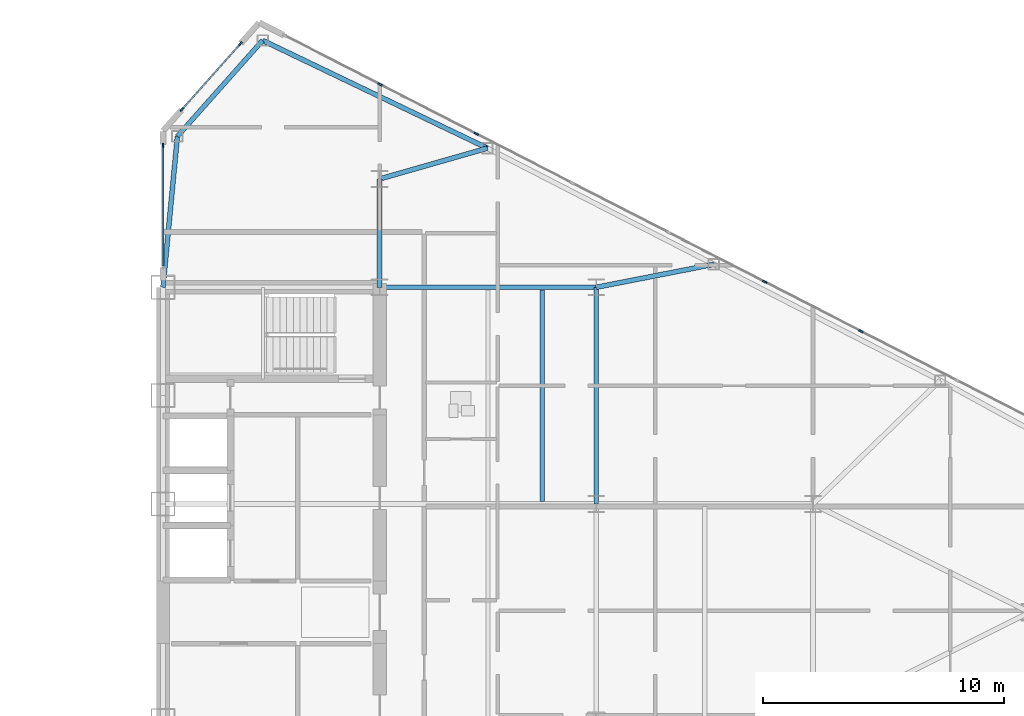
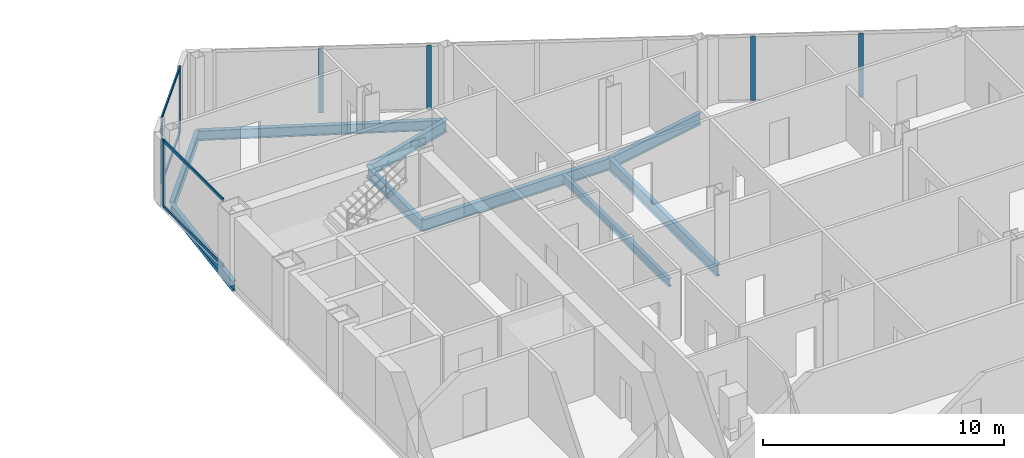
# One storey, part 11 of 23: 11 members, 9 beams, 3 elements without a shape of their own.
"""IFC4 building model written with IfcOpenShell, lengths in metres."""

from ifc_helpers import new_model, si_unit, direction, frame, origin, origin_2d, place, context, subcontext, project, spatial, rectangle, i_section, extrude, source, transform, mapped, material, layer, layer_set, material_profile, profile_set, type_object, type_shapes, element, aggregate, save


model = new_model("IFC4")

# Units and contexts
model_context = context("Model", 3, precision=1e-05, world=origin(), true_north=direction((0.0, 1.0)))
body_context = subcontext(model_context, "Body", "Model", "MODEL_VIEW")
ifc_project = project(units=[si_unit("LENGTHUNIT", "METRE"), si_unit("AREAUNIT", "SQUARE_METRE"), si_unit("VOLUMEUNIT", "CUBIC_METRE"), si_unit("PLANEANGLEUNIT", "RADIAN"), si_unit("MASSUNIT", "GRAM", prefix="KILO")], contexts=[model_context])

# Site, building, storey
site_placement = place(None, origin())
site = spatial("IfcSite", under=ifc_project, at=site_placement, CompositionType="ELEMENT")
building_placement = place(site_placement, origin())
building = spatial("IfcBuilding", under=site, at=building_placement, Name="Seokmaru Belvedere", CompositionType="ELEMENT")
storey_placement = place(building_placement, frame((0.0, 0.0, 154.800048828125)))
storey = spatial("IfcBuildingStorey", under=building, at=storey_placement, Name="L41", CompositionType="ELEMENT", Elevation=154.800048828125)

# Beams
ifc_material_1 = material(Name="Steel SM355 (355 MPa)", Category="steel")
ifc_material_profile_1 = material_profile(ifc_material_1, i_section(OverallWidth=0.199951171875, OverallDepth=0.60009765625, WebThickness=0.010986328125, FlangeThickness=0.01708984375, at=origin_2d()), Name="H-600x200x11x17")
ifc_profile_set_1 = profile_set([ifc_material_profile_1], Name="Steel SM355 (355 MPa)")
beam_type_1 = type_object("IfcBeamType", Name="Primary Floor Girder H-600", PredefinedType="BEAM", material=ifc_profile_set_1)
shared_shape_1 = source(origin(), body_context, "Body", "SweptSolid", [
    extrude(i_section(OverallWidth=0.199951171875, OverallDepth=0.60009765625, WebThickness=0.010986328125, FlangeThickness=0.01708984375, at=origin_2d()), origin(), (0.0, 0.0, 1.0), 9.0),
])
for number, where, z_axis, x_axis, name in (
    (1, (45.5, 4.5, -0.52001953125), (0.0, 1.0, 0.0), (-1.0, 0.0, 0.0), "L41 E Interior Grid Girder 3"),
    (2, (36.5, 13.5, -0.52001953125), (1.0, 0.0, 0.0), (0.0, 1.0, 0.0), "L41 E Wing Primary Girder 4"),
):
    element("IfcBeam", number, at=place(storey_placement, frame(where, z_axis=z_axis, x_axis=x_axis)), inside=storey, type_object=beam_type_1, Name=name, PredefinedType="BEAM", context=body_context, shape_type="MappedRepresentation", body=[
        mapped(shared_shape_1, transform((0.0, 0.0, 0.0), scale=1.0)),
    ])
ifc_material_profile_2 = material_profile(ifc_material_1, i_section(OverallWidth=0.18505859375, OverallDepth=0.389892578125, WebThickness=0.008056640625, FlangeThickness=0.011962890625, at=origin_2d()), Name="H-390x185x8x12")
ifc_profile_set_2 = profile_set([ifc_material_profile_2], Name="Steel SM355 (355 MPa)")
beam_type_2 = type_object("IfcBeamType", Name="Secondary Floor Joist H-350", PredefinedType="JOIST", material=ifc_profile_set_2)
shared_shape_2 = source(origin(), body_context, "Body", "SweptSolid", [
    extrude(i_section(OverallWidth=0.18505859375, OverallDepth=0.389892578125, WebThickness=0.008056640625, FlangeThickness=0.011962890625, at=origin_2d()), origin(), (0.0, 0.0, 1.0), 8.7900390625),
])
type_shapes(beam_type_2, [shared_shape_2])
beam_1_placement = place(storey_placement, frame((43.25, 4.60498046875, -0.4150390625), z_axis=(0.0, 1.0, 0.0), x_axis=(-1.0, 0.0, 0.0)))
element("IfcBeam", 3, at=beam_1_placement, inside=storey, type_object=beam_type_2, Name="L41 E Wing Inner Secondary Joist 2", PredefinedType="JOIST", context=body_context, shape_type="MappedRepresentation", body=[
    mapped(shared_shape_2, transform((0.0, 0.0, 0.0), scale=1.0)),
])
shared_shape_3 = source(origin(), body_context, "Body", "SweptSolid", [
    extrude(i_section(OverallWidth=0.199951171875, OverallDepth=0.60009765625, WebThickness=0.010986328125, FlangeThickness=0.01708984375, at=origin_2d()), origin(), (0.0, 0.0, 1.0), 4.5),
])
beam_2_placement = place(storey_placement, frame((36.5, 13.5, -0.52001953125), z_axis=(0.0, 1.0, 0.0), x_axis=(-1.0, 0.0, 0.0)))
element("IfcBeam", 4, at=beam_2_placement, inside=storey, type_object=beam_type_1, Name="L41 E Core Shoulder Girder N", PredefinedType="BEAM", context=body_context, shape_type="MappedRepresentation", body=[
    mapped(shared_shape_3, transform((0.0, 0.0, 0.0), scale=1.0)),
])
ifc_material_profile_3 = material_profile(ifc_material_1, i_section(OverallWidth=0.199951171875, OverallDepth=0.5, WebThickness=0.010009765625, FlangeThickness=0.01611328125, at=origin_2d()), Name="H-500x200x10x16")
ifc_profile_set_3 = profile_set([ifc_material_profile_3], Name="Steel SM355 (355 MPa)")
beam_type_3 = type_object("IfcBeamType", Name="Perimeter Spandrel Beam H-500", PredefinedType="SPANDREL", material=ifc_profile_set_3)
shared_shape_4 = source(origin(), body_context, "Body", "SweptSolid", [
    extrude(i_section(OverallWidth=0.199951171875, OverallDepth=0.5, WebThickness=0.010009765625, FlangeThickness=0.01611328125, at=origin_2d()), origin(), (0.0, 0.0, 1.0), 10.353759765625),
])
beam_3_placement = place(storey_placement, frame((31.6396484375, 23.75390625, -0.469970703125), z_axis=(0.901713202822, -0.432334708134, 0.0), x_axis=(0.432334708134, 0.901713202822, 0.0)))
element("IfcBeam", 5, at=beam_3_placement, inside=storey, type_object=beam_type_3, Name="L41 E Faceted Flank Spandrel N-1", PredefinedType="SPANDREL", context=body_context, shape_type="MappedRepresentation", body=[
    mapped(shared_shape_4, transform((0.0, 0.0, 0.0), scale=1.0)),
])
shared_shape_5 = source(origin(), body_context, "Body", "SweptSolid", [
    extrude(i_section(OverallWidth=0.199951171875, OverallDepth=0.5, WebThickness=0.010009765625, FlangeThickness=0.01611328125, at=origin_2d()), origin(), (0.0, 0.0, 1.0), 5.32763671875),
])
beam_4_placement = place(storey_placement, frame((31.6396484375, 23.75390625, -0.469970703125), z_axis=(-0.66436952742, -0.74740426212, 0.0), x_axis=(0.74740426212, -0.66436952742, 0.0)))
element("IfcBeam", 6, at=beam_4_placement, inside=storey, type_object=beam_type_3, Name="L41 E Shoulder Chamfer Spandrel N", PredefinedType="SPANDREL", context=body_context, shape_type="MappedRepresentation", body=[
    mapped(shared_shape_5, transform((0.0, 0.0, 0.0), scale=1.0)),
])
shared_shape_6 = source(origin(), body_context, "Body", "SweptSolid", [
    extrude(i_section(OverallWidth=0.199951171875, OverallDepth=0.5, WebThickness=0.010009765625, FlangeThickness=0.01611328125, at=origin_2d()), origin(), (0.0, 0.0, 1.0), 6.300537109375),
])
type_shapes(beam_type_3, [shared_shape_4, shared_shape_5, shared_shape_6])
beam_5_placement = place(storey_placement, frame((28.10009765625, 19.77197265625, -0.469970703125), z_axis=(-0.095244287992, -0.995453929424, 0.0), x_axis=(0.995453929424, -0.095244287992, 0.0)))
element("IfcBeam", 7, at=beam_5_placement, inside=storey, type_object=beam_type_3, Name="L41 E Shoulder Spine Spandrel N", PredefinedType="SPANDREL", context=body_context, shape_type="MappedRepresentation", body=[
    mapped(shared_shape_6, transform((0.0, 0.0, 0.0), scale=1.0)),
])
shared_shape_7 = source(origin(), body_context, "Body", "SweptSolid", [
    extrude(i_section(OverallWidth=0.199951171875, OverallDepth=0.60009765625, WebThickness=0.010986328125, FlangeThickness=0.01708984375, at=origin_2d()), origin(), (0.0, 0.0, 1.0), 4.654541015625),
])
beam_6_placement = place(storey_placement, frame((40.975830078125, 19.277587890625, -0.52001953125), z_axis=(-0.961593192625, -0.274478654721, 0.0), x_axis=(0.274478654721, -0.961593192625, 0.0)))
element("IfcBeam", 8, at=beam_6_placement, inside=storey, type_object=beam_type_1, Name="L41 E Flank Radial Floor Girder N-1", PredefinedType="BEAM", context=body_context, shape_type="MappedRepresentation", body=[
    mapped(shared_shape_7, transform((0.0, 0.0, 0.0), scale=1.0)),
])
shared_shape_8 = source(origin(), body_context, "Body", "SweptSolid", [
    extrude(i_section(OverallWidth=0.199951171875, OverallDepth=0.60009765625, WebThickness=0.010986328125, FlangeThickness=0.01708984375, at=origin_2d()), origin(), (0.0, 0.0, 1.0), 4.969482421875),
])
type_shapes(beam_type_1, [shared_shape_1, shared_shape_3, shared_shape_7, shared_shape_8])
beam_7_placement = place(storey_placement, frame((50.377197265625, 14.453369140625, -0.52001953125), z_axis=(-0.98142544456, -0.19184393858, 0.0), x_axis=(0.19184393858, -0.98142544456, 0.0)))
element("IfcBeam", 9, at=beam_7_placement, inside=storey, type_object=beam_type_1, Name="L41 E Flank Radial Floor Girder N-2", PredefinedType="BEAM", context=body_context, shape_type="MappedRepresentation", body=[
    mapped(shared_shape_8, transform((0.0, 0.0, 0.0), scale=1.0)),
])

# Curtain wall, members
ifc_material_2 = material(Name="Bronze Triple Insulating Glass", Category="glass")
ifc_layer = layer(ifc_material_2, 0.195068359375)
ifc_layer_set = layer_set([ifc_layer], Name="Bronze Triple Insulating Glass")
curtain_wall_type = type_object("IfcCurtainWallType", Name="Sky-Lobby and Mid-Rise Curtain Wall System CW-4", PredefinedType="NOTDEFINED", material=ifc_layer_set)
curtain_wall_1_placement = place(storey_placement, origin())
curtain_wall_1 = element("IfcCurtainWall", 10, at=curtain_wall_1_placement, inside=storey, type_object=curtain_wall_type, Name="L41 Curtain Wall EF4", PredefinedType="NOTDEFINED")
ifc_material_3 = material(Name="Anodised Bronze Aluminium", Category="aluminium")
ifc_material_profile_4 = material_profile(ifc_material_3, rectangle(XDim=0.070068359375, YDim=0.195068359375, at=origin_2d()), Name="CW-M-70x195")
ifc_profile_set_4 = profile_set([ifc_material_profile_4], Name="Anodised Bronze Aluminium")
member_type_1 = type_object("IfcMemberType", Name="Bronze Unitised Mullion 70x195", PredefinedType="MULLION", material=ifc_profile_set_4)
shared_shape_9 = source(origin(), body_context, "Body", "SweptSolid", [
    extrude(rectangle(XDim=0.070068359375, YDim=0.195068359375, at=origin_2d()), origin(), (0.0, 0.0, 1.0), 3.3798828125),
])
member_1_placement = place(storey_placement, frame((30.712646484375, 23.6142578125, 0.0), z_axis=(0.0, 0.0, 1.0), x_axis=(0.747409774804, -0.664363325694, 0.0)))
member_1 = element("IfcMember", 11, at=member_1_placement, type_object=member_type_1, Name="CW:L41:EF4 Mullion 1", PredefinedType="MULLION", context=body_context, shape_type="MappedRepresentation", body=[
    mapped(shared_shape_9, transform((0.0, 0.0, 0.0), scale=1.0)),
])
member_2_placement = place(storey_placement, frame((28.287353515625, 20.8857421875, 0.0), z_axis=(0.0, 0.0, 1.0), x_axis=(0.747409774804, -0.664363325694, 0.0)))
member_2 = element("IfcMember", 12, at=member_2_placement, type_object=member_type_1, Name="CW:L41:EF4 Mullion 2", PredefinedType="MULLION", context=body_context, shape_type="MappedRepresentation", body=[
    mapped(shared_shape_9, transform((0.0, 0.0, 0.0), scale=1.0)),
])

# Curtain wall, member
curtain_wall_2_placement = place(storey_placement, origin())
curtain_wall_2 = element("IfcCurtainWall", 13, at=curtain_wall_2_placement, inside=storey, type_object=curtain_wall_type, Name="L41 Curtain Wall ESP_2", PredefinedType="NOTDEFINED")
member_3_placement = place(storey_placement, frame((27.5, 19.39501953125, 0.0), z_axis=(0.0, 0.0, 1.0), x_axis=(1.0, 0.0, 0.0)))
member_3 = element("IfcMember", 14, at=member_3_placement, type_object=member_type_1, Name="CW:L41:ESP_2 Mullion 1", PredefinedType="MULLION", context=body_context, shape_type="MappedRepresentation", body=[
    mapped(shared_shape_9, transform((0.0, 0.0, 0.0), scale=1.0)),
])

# Member
ifc_material_profile_5 = material_profile(ifc_material_3, rectangle(XDim=0.06494140625, YDim=0.14990234375, at=origin_2d()), Name="CW-T-65x150")
ifc_profile_set_5 = profile_set([ifc_material_profile_5], Name="Anodised Bronze Aluminium")
member_type_2 = type_object("IfcMemberType", Name="Bronze Unitised Transom 65x150", PredefinedType="USERDEFINED", material=ifc_profile_set_5)
shared_shape_10 = source(origin(), body_context, "Body", "SweptSolid", [
    extrude(rectangle(XDim=0.06494140625, YDim=0.14990234375, at=origin_2d()), origin(), (0.0, 0.0, 1.0), 3.580810546875),
])
member_4_placement = place(storey_placement, frame((30.689453125, 23.588134765625, 0.032470703125), z_axis=(-0.66436383883, -0.747409318684, 0.0), x_axis=(0.747409318684, -0.66436383883, 0.0)))
member_4 = element("IfcMember", 15, at=member_4_placement, type_object=member_type_2, Name="CW:L41:EF4 Continuous Transom 1", ObjectType="TRANSOM", PredefinedType="USERDEFINED", context=body_context, shape_type="MappedRepresentation", body=[
    mapped(shared_shape_10, transform((0.0, 0.0, 0.0), scale=1.0)),
])

member_5_placement = place(storey_placement, frame((30.689453125, 23.588134765625, 3.347412109375), z_axis=(-0.66436383883, -0.747409318684, 0.0), x_axis=(0.747409318684, -0.66436383883, 0.0)))
member_5 = element("IfcMember", 16, at=member_5_placement, type_object=member_type_2, Name="CW:L41:EF4 Continuous Transom 2", ObjectType="TRANSOM", PredefinedType="USERDEFINED", context=body_context, shape_type="MappedRepresentation", body=[
    mapped(shared_shape_10, transform((0.0, 0.0, 0.0), scale=1.0)),
])

aggregate(curtain_wall_1, [member_1, member_2, member_4, member_5])

# Curtain wall, members
curtain_wall_3_placement = place(storey_placement, origin())
curtain_wall_3 = element("IfcCurtainWall", 17, at=curtain_wall_3_placement, inside=storey, type_object=curtain_wall_type, Name="L41 Curtain Wall EF3", PredefinedType="NOTDEFINED")
shared_shape_11 = source(origin(), body_context, "Body", "SweptSolid", [
    extrude(rectangle(XDim=0.070068359375, YDim=0.195068359375, at=origin_2d()), origin(), (0.0, 0.0, 1.0), 3.25),
])
type_shapes(member_type_1, [shared_shape_9, shared_shape_11])
member_6_placement = place(storey_placement, frame((56.4921875, 11.675048828125, 0.06494140625), z_axis=(0.0, 0.0, 1.0), x_axis=(-0.456554528263, -0.889695432562, 0.0)))
member_6 = element("IfcMember", 18, at=member_6_placement, type_object=member_type_1, Name="CW:L41:EF3 Mullion 4", PredefinedType="MULLION", context=body_context, shape_type="MappedRepresentation", body=[
    mapped(shared_shape_11, transform((0.0, 0.0, 0.0), scale=1.0)),
])
member_7_placement = place(storey_placement, frame((52.497314453125, 13.72509765625, 0.06494140625), z_axis=(0.0, 0.0, 1.0), x_axis=(-0.456554528263, -0.889695432562, 0.0)))
member_7 = element("IfcMember", 19, at=member_7_placement, type_object=member_type_1, Name="CW:L41:EF3 Mullion 5", PredefinedType="MULLION", context=body_context, shape_type="MappedRepresentation", body=[
    mapped(shared_shape_11, transform((0.0, 0.0, 0.0), scale=1.0)),
])
member_8_placement = place(storey_placement, frame((40.5126953125, 19.875, 0.06494140625), z_axis=(0.0, 0.0, 1.0), x_axis=(-0.456554528263, -0.889695432562, 0.0)))
member_8 = element("IfcMember", 20, at=member_8_placement, type_object=member_type_1, Name="CW:L41:EF3 Mullion 8", PredefinedType="MULLION", context=body_context, shape_type="MappedRepresentation", body=[
    mapped(shared_shape_11, transform((0.0, 0.0, 0.0), scale=1.0)),
])
member_9_placement = place(storey_placement, frame((36.51806640625, 21.925048828125, 0.06494140625), z_axis=(0.0, 0.0, 1.0), x_axis=(-0.456554528263, -0.889695432562, 0.0)))
member_9 = element("IfcMember", 21, at=member_9_placement, type_object=member_type_1, Name="CW:L41:EF3 Mullion 9", PredefinedType="MULLION", context=body_context, shape_type="MappedRepresentation", body=[
    mapped(shared_shape_11, transform((0.0, 0.0, 0.0), scale=1.0)),
])
aggregate(curtain_wall_3, [member_6, member_7, member_8, member_9])

# Member
shared_shape_12 = source(origin(), body_context, "Body", "SweptSolid", [
    extrude(rectangle(XDim=0.06494140625, YDim=0.14990234375, at=origin_2d()), origin(), (0.0, 0.0, 1.0), 4.960205078125),
])
type_shapes(member_type_2, [shared_shape_10, shared_shape_12])
member_10_placement = place(storey_placement, frame((27.5, 19.360107421875, 0.032470703125), z_axis=(0.0, -1.0, 0.0), x_axis=(1.0, 0.0, 0.0)))
member_10 = element("IfcMember", 22, at=member_10_placement, type_object=member_type_2, Name="CW:L41:ESP_2 Continuous Transom 1", ObjectType="TRANSOM", PredefinedType="USERDEFINED", context=body_context, shape_type="MappedRepresentation", body=[
    mapped(shared_shape_12, transform((0.0, 0.0, 0.0), scale=1.0)),
])

member_11_placement = place(storey_placement, frame((27.5, 19.360107421875, 3.347412109375), z_axis=(0.0, -1.0, 0.0), x_axis=(1.0, 0.0, 0.0)))
member_11 = element("IfcMember", 23, at=member_11_placement, type_object=member_type_2, Name="CW:L41:ESP_2 Continuous Transom 2", ObjectType="TRANSOM", PredefinedType="USERDEFINED", context=body_context, shape_type="MappedRepresentation", body=[
    mapped(shared_shape_12, transform((0.0, 0.0, 0.0), scale=1.0)),
])

aggregate(curtain_wall_2, [member_3, member_10, member_11])

save(model, "model.ifc")
